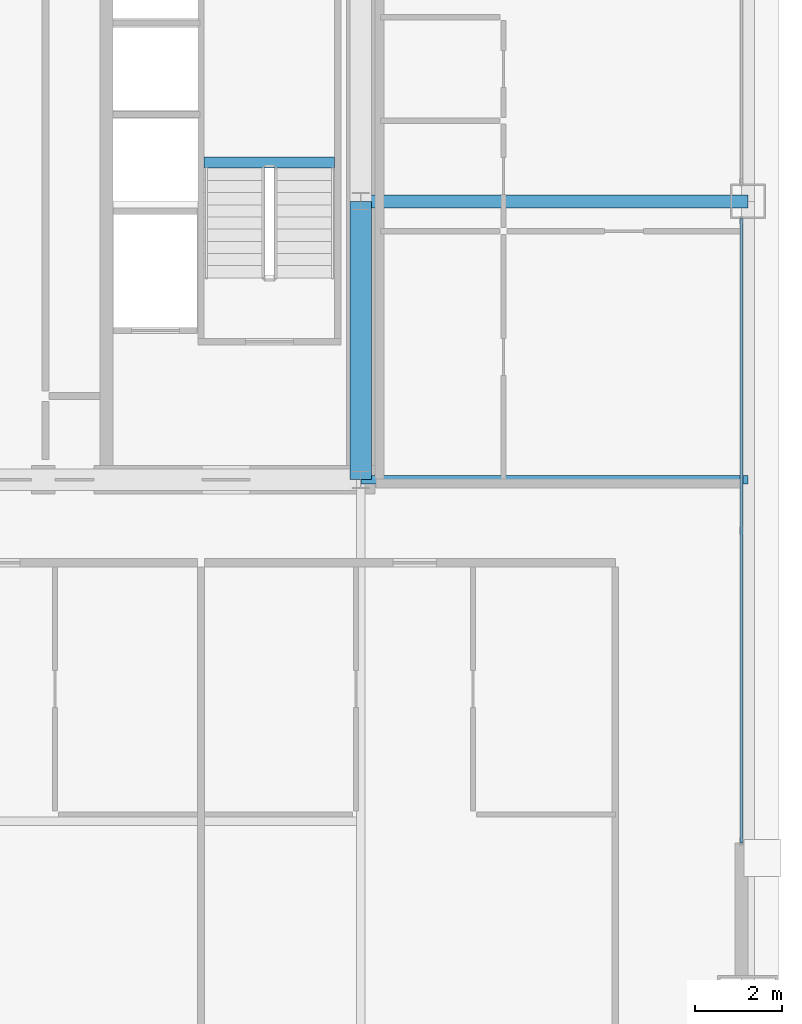
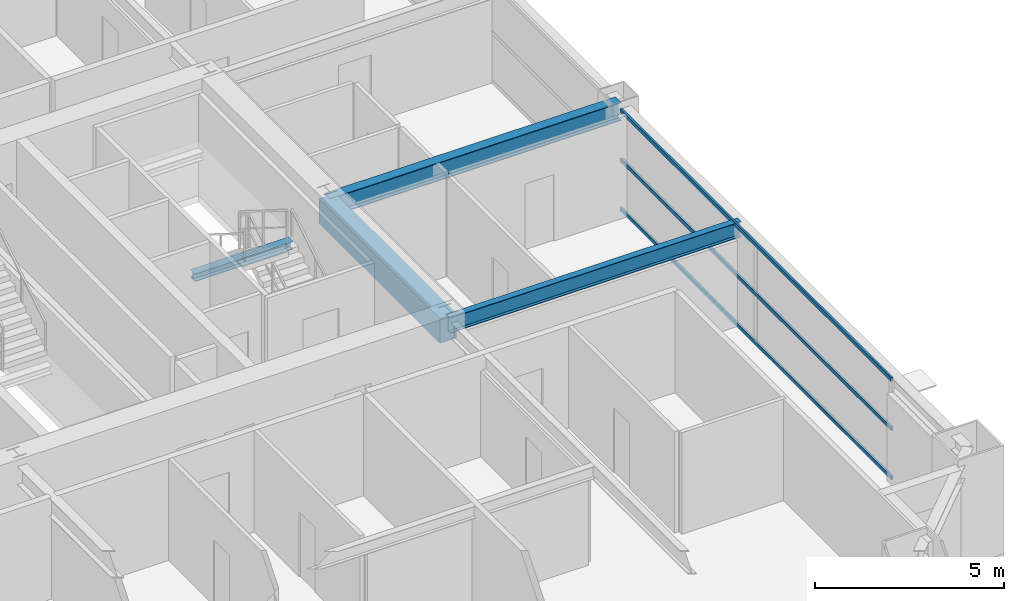
# One storey, part 19 of 38: 4 beams, 3 members, 1 element without a shape of its own.
"""IFC4 building model written with IfcOpenShell, lengths in metres."""

from ifc_helpers import new_model, si_unit, direction, frame, origin, origin_2d, place, context, subcontext, project, spatial, rectangle, hollow_rectangle, i_section, extrude, source, transform, mapped, material, layer, layer_set, material_profile, profile_set, type_object, element, aggregate, save


model = new_model("IFC4")

# Units and contexts
model_context = context("Model", 3, precision=1e-05, world=origin(), true_north=direction((0.0, 1.0)))
body_context = subcontext(model_context, "Body", "Model", "MODEL_VIEW")
ifc_project = project(units=[si_unit("LENGTHUNIT", "METRE"), si_unit("AREAUNIT", "SQUARE_METRE"), si_unit("VOLUMEUNIT", "CUBIC_METRE"), si_unit("PLANEANGLEUNIT", "RADIAN"), si_unit("MASSUNIT", "GRAM", prefix="KILO"), si_unit("THERMODYNAMICTEMPERATUREUNIT", "KELVIN"), si_unit("POWERUNIT", "WATT")], contexts=[model_context])

# Site, building, storey
site_placement = place(None, origin())
site = spatial("IfcSite", under=ifc_project, at=site_placement, CompositionType="ELEMENT")
building_placement = place(site_placement, origin())
building = spatial("IfcBuilding", under=site, at=building_placement, Name="Yuzanri Waterfront Tower", CompositionType="ELEMENT")
storey_placement = place(building_placement, frame((0.0, 0.0, 188.0)))
storey = spatial("IfcBuildingStorey", under=building, at=storey_placement, Name="L49", CompositionType="ELEMENT", Elevation=188.0)

# Beams
ifc_material_1 = material(Name="Steel Q355B", Category="steel")
ifc_material_profile_1 = material_profile(ifc_material_1, i_section(OverallWidth=0.300048828125, OverallDepth=0.587890625, WebThickness=0.011962890625, FlangeThickness=0.02001953125, at=origin_2d()), Name="HM 588x300x12x20")
ifc_profile_set_1 = profile_set([ifc_material_profile_1], Name="Steel Q355B")
beam_type_1 = type_object("IfcBeamType", Name="Primary Floor Girder Q355B HM 588x300", PredefinedType="BEAM", material=ifc_profile_set_1)
shared_shape_1 = source(origin(), body_context, "Body", "SweptSolid", [
    extrude(i_section(OverallWidth=0.300048828125, OverallDepth=0.587890625, WebThickness=0.011962890625, FlangeThickness=0.02001953125, at=origin_2d()), origin(), (0.0, 0.0, 1.0), 8.900146484375),
])
beam_1_placement = place(storey_placement, frame((50.199951171875, 25.800048828125, 2.986083984375), z_axis=(1.0, 0.0, 0.0), x_axis=(0.0, 1.0, 0.0)))
element("IfcBeam", 1, at=beam_1_placement, inside=storey, type_object=beam_type_1, Name="L49 East Grid Girder", PredefinedType="BEAM", context=body_context, shape_type="MappedRepresentation", body=[
    mapped(shared_shape_1, transform((0.0, 0.0, 0.0), scale=1.0)),
])
ifc_material_2 = material(Name="Steel Q355B", Category="steel")
ifc_material_profile_2 = material_profile(ifc_material_2, i_section(OverallWidth=0.199951171875, OverallDepth=0.5, WebThickness=0.010009765625, FlangeThickness=0.01611328125, at=origin_2d()), Name="HN 500x200x10x16")
ifc_profile_set_2 = profile_set([ifc_material_profile_2], Name="Steel Q355B")
beam_type_2 = type_object("IfcBeamType", Name="Secondary Floor Beam Q355B HN 500x200", PredefinedType="BEAM", material=ifc_profile_set_2)
shared_shape_2 = source(origin(), body_context, "Body", "SweptSolid", [
    extrude(i_section(OverallWidth=0.199951171875, OverallDepth=0.5, WebThickness=0.010009765625, FlangeThickness=0.01611328125, at=origin_2d()), origin(), (0.0, 0.0, 1.0), 8.900146484375),
])
beam_2_placement = place(storey_placement, frame((50.199951171875, 19.39990234375, 3.030029296875), z_axis=(1.0, 0.0, 0.0), x_axis=(0.0, 1.0, 0.0)))
element("IfcBeam", 2, at=beam_2_placement, inside=storey, type_object=beam_type_2, Name="L49 East-South Core Line Beam", PredefinedType="BEAM", context=body_context, shape_type="MappedRepresentation", body=[
    mapped(shared_shape_2, transform((0.0, 0.0, 0.0), scale=1.0)),
])
ifc_material_3 = material(Name="Concrete C50", Category="concrete")
ifc_material_profile_3 = material_profile(ifc_material_3, rectangle(XDim=0.5, YDim=0.800048828125, at=origin_2d()), Name="RC 500x800")
ifc_profile_set_3 = profile_set([ifc_material_profile_3], Name="Concrete C50")
beam_type_3 = type_object("IfcBeamType", Name="Core Coupling Lintel Concrete C50 500x800", PredefinedType="LINTEL", material=ifc_profile_set_3)
shared_shape_3 = source(origin(), body_context, "Body", "SweptSolid", [
    extrude(rectangle(XDim=0.5, YDim=0.800048828125, at=origin_2d()), origin(), (0.0, 0.0, 1.0), 6.400146484375),
])
beam_3_placement = place(storey_placement, frame((50.199951171875, 19.39990234375, 2.8798828125), z_axis=(0.0, 1.0, 0.0), x_axis=(-1.0, 0.0, 0.0)))
element("IfcBeam", 3, at=beam_3_placement, inside=storey, type_object=beam_type_3, Name="L49 Core Tie Beam CE1", PredefinedType="LINTEL", context=body_context, shape_type="MappedRepresentation", body=[
    mapped(shared_shape_3, transform((0.0, 0.0, 0.0), scale=1.0)),
])

# Curtain wall, members
ifc_material_4 = material(Name="Anodized Architectural Bronze", Category="metal")
ifc_layer = layer(ifc_material_4, 0.159912109375)
ifc_layer_set = layer_set([ifc_layer], Name="Anodized Architectural Bronze")
curtain_wall_type = type_object("IfcCurtainWallType", Name="Anodized Bronze Mid-Rise Residential Acoustic Unitized Curtain Wall 7200", PredefinedType="NOTDEFINED", material=ifc_layer_set)
curtain_wall_placement = place(storey_placement, origin())
curtain_wall = element("IfcCurtainWall", 4, at=curtain_wall_placement, inside=storey, type_object=curtain_wall_type, Name="L49 Curtain Wall CW-L49-EL", PredefinedType="NOTDEFINED")
ifc_material_5 = material(Name="Anodized Architectural Bronze", Category="metal")
ifc_material_profile_4 = material_profile(ifc_material_5, hollow_rectangle(XDim=0.06494140625, YDim=0.1201171875, WallThickness=0.00341796875, at=origin_2d()), Name="CWT 65x120")
ifc_profile_set_4 = profile_set([ifc_material_profile_4], Name="Anodized Architectural Bronze")
member_type = type_object("IfcMemberType", Name="Anodized Bronze Secondary Curtain-Wall Transom 65x120", PredefinedType="USERDEFINED", material=ifc_profile_set_4)
shared_shape_4 = source(origin(), body_context, "Body", "SweptSolid", [
    extrude(hollow_rectangle(XDim=0.06494140625, YDim=0.1201171875, WallThickness=0.00341796875, at=origin_2d()), origin(), (0.0, 0.0, 1.0), 14.349853515625),
])
member_1_placement = place(storey_placement, frame((58.949951171875, 11.050048828125, 0.050048828125), z_axis=(0.0, 1.0, 0.0), x_axis=(-1.0, 0.0, 0.0)))
member_1 = element("IfcMember", 5, at=member_1_placement, type_object=member_type, Name="CW-L49-EL Transom 1", ObjectType="TRANSOM", PredefinedType="USERDEFINED", context=body_context, shape_type="MappedRepresentation", body=[
    mapped(shared_shape_4, transform((0.0, 0.0, 0.0), scale=1.0)),
])
member_2_placement = place(storey_placement, frame((58.949951171875, 11.050048828125, 1.639892578125), z_axis=(0.0, 1.0, 0.0), x_axis=(-1.0, 0.0, 0.0)))
member_2 = element("IfcMember", 6, at=member_2_placement, type_object=member_type, Name="CW-L49-EL Transom 2", ObjectType="TRANSOM", PredefinedType="USERDEFINED", context=body_context, shape_type="MappedRepresentation", body=[
    mapped(shared_shape_4, transform((0.0, 0.0, 0.0), scale=1.0)),
])
member_3_placement = place(storey_placement, frame((58.949951171875, 11.050048828125, 3.22998046875), z_axis=(0.0, 1.0, 0.0), x_axis=(-1.0, 0.0, 0.0)))
member_3 = element("IfcMember", 7, at=member_3_placement, type_object=member_type, Name="CW-L49-EL Transom 3", ObjectType="TRANSOM", PredefinedType="USERDEFINED", context=body_context, shape_type="MappedRepresentation", body=[
    mapped(shared_shape_4, transform((0.0, 0.0, 0.0), scale=1.0)),
])
aggregate(curtain_wall, [member_1, member_2, member_3])

# Beam
ifc_material_6 = material(Name="Steel Q355B", Category="steel")
ifc_material_profile_5 = material_profile(ifc_material_6, i_section(OverallWidth=0.25, OverallDepth=0.25, WebThickness=0.009033203125, FlangeThickness=0.013916015625, at=origin_2d()), Name="HW 250x250x9x14")
ifc_profile_set_5 = profile_set([ifc_material_profile_5], Name="Steel Q355B")
beam_type_4 = type_object("IfcBeamType", Name="Stair Landing Support Beam Q355B HW 250x250", PredefinedType="BEAM", material=ifc_profile_set_5)
shared_shape_5 = source(origin(), body_context, "Body", "SweptSolid", [
    extrude(i_section(OverallWidth=0.25, OverallDepth=0.25, WebThickness=0.009033203125, FlangeThickness=0.013916015625, at=origin_2d()), origin(), (0.0, 0.0, 1.0), 3.0),
])
beam_4_placement = place(storey_placement, frame((46.60009765625, 26.68994140625, 1.425048828125), z_axis=(1.0, 0.0, 0.0), x_axis=(0.0, 1.0, 0.0)))
element("IfcBeam", 8, at=beam_4_placement, inside=storey, type_object=beam_type_4, Name="L49 Stair Landing Support Beam ST-02-L49-L1-1", PredefinedType="BEAM", context=body_context, shape_type="MappedRepresentation", body=[
    mapped(shared_shape_5, transform((0.0, 0.0, 0.0), scale=1.0)),
])

save(model, "model.ifc")
